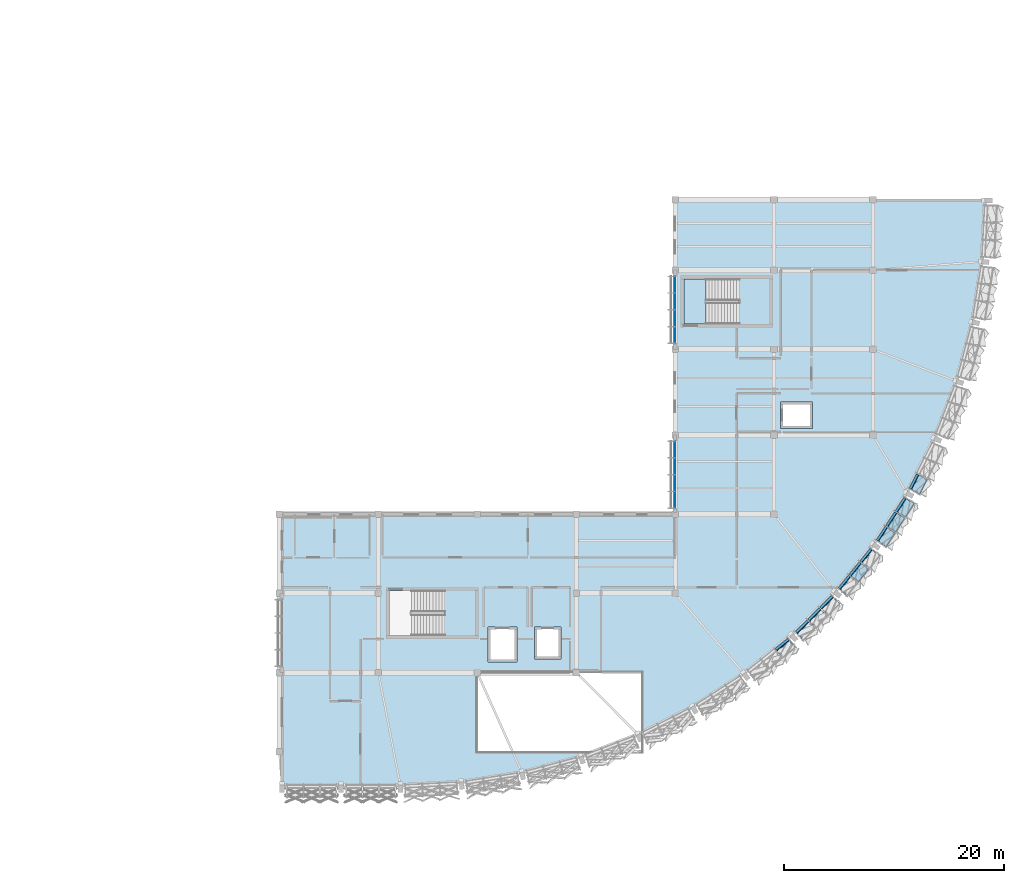
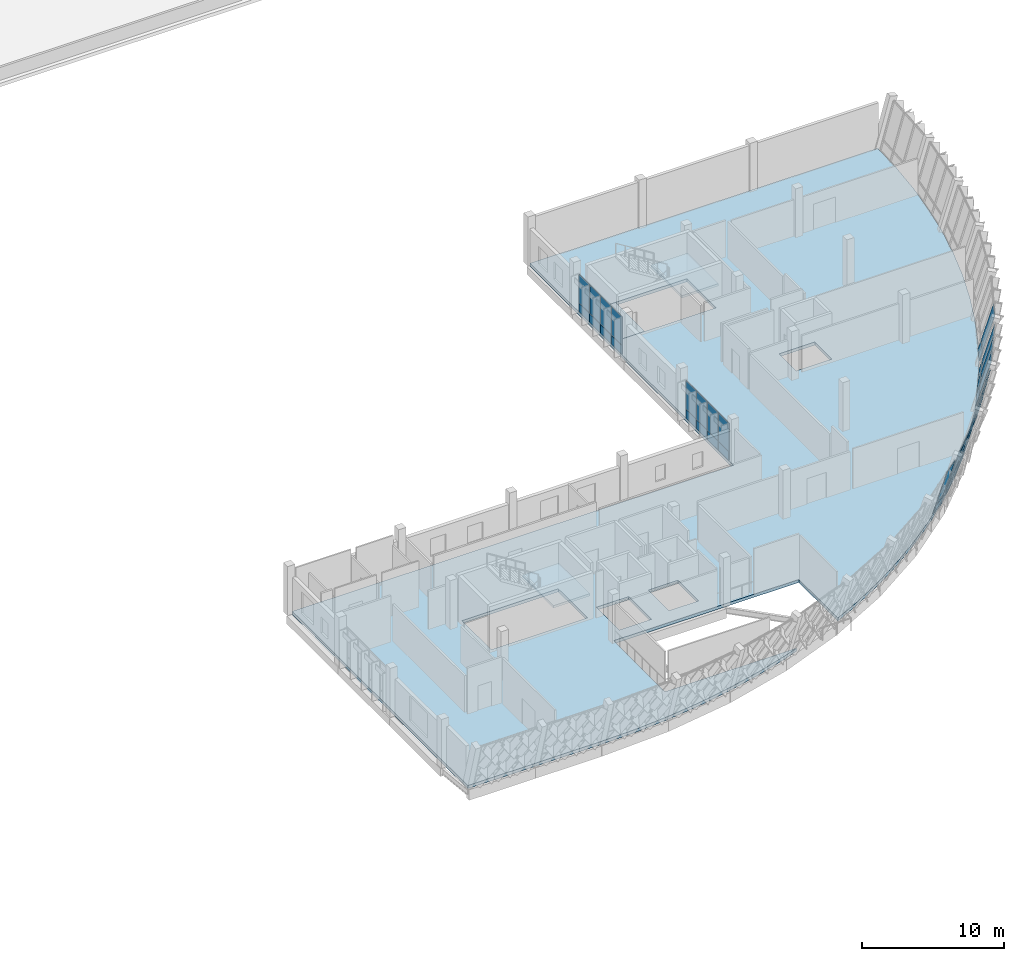
# One storey, part 83 of 107: 38 plates, 4 slabs, 9 elements without a shape of their own.
"""IFC4 building model written with IfcOpenShell, lengths in metres."""

from ifc_helpers import new_model, si_unit, direction, frame, origin, origin_2d, place, context, subcontext, project, spatial, polyline, rectangle, outline, extrude, material, layer, layer_set, type_object, element, aggregate, save


model = new_model("IFC4")

# Units and contexts
model_context = context("Model", 3, precision=1e-05, world=origin(), true_north=direction((0.0, 1.0)))
body_context = subcontext(model_context, "Body", "Model", "MODEL_VIEW")
ifc_project = project(units=[si_unit("LENGTHUNIT", "METRE"), si_unit("AREAUNIT", "SQUARE_METRE"), si_unit("VOLUMEUNIT", "CUBIC_METRE"), si_unit("PLANEANGLEUNIT", "RADIAN"), si_unit("MASSUNIT", "GRAM", prefix="KILO")], contexts=[model_context])

# Site, building, storey
site_placement = place(None, origin())
site = spatial("IfcSite", under=ifc_project, at=site_placement, CompositionType="ELEMENT")
building_placement = place(site_placement, origin())
building = spatial("IfcBuilding", under=site, at=building_placement, Name="Chiffa Square Polytechnic", CompositionType="ELEMENT")
storey_placement = place(building_placement, frame((0.0, 0.0, 13.800048828125)))
storey = spatial("IfcBuildingStorey", under=building, at=storey_placement, Name="L03", CompositionType="ELEMENT", Elevation=13.800048828125)

# Curtain wall, plates
ifc_material_1 = material(Name="Aluminium EN AW-6060 T66 and glulam shading", Category="wood")
curtain_wall_type_1 = type_object("IfcCurtainWallType", Name="CW-PROW-LEAN-150", PredefinedType="USERDEFINED", material=ifc_material_1)
curtain_wall_1_placement = place(storey_placement, origin())
curtain_wall_1 = element("IfcCurtainWall", 1, at=curtain_wall_1_placement, inside=storey, type_object=curtain_wall_type_1, Name="Outward-leaning diamond-fin prow curtain wall CW-V1-L03-054", ObjectType="CURTAIN WALL", PredefinedType="USERDEFINED")
ifc_material_2 = material(Name="Double glazing", Category="glass")
ifc_layer_1 = layer(ifc_material_2, 0.035888671875, Name="Double glazing")
ifc_layer_set_1 = layer_set([ifc_layer_1], Name="Double glazing")
plate_type_1 = type_object("IfcPlateType", Name="CWP-GLZ-120X145", PredefinedType="CURTAIN_PANEL", material=ifc_layer_set_1)
plate_1_placement = place(storey_placement, frame((163.21826171875, 21.971923828125, 0.8779296875), z_axis=(-0.747978076099, 0.605487140013, 0.271871515526), x_axis=(0.629179782884, 0.777259802071, -2.9907805e-05)))
plate_1 = element("IfcPlate", 2, at=plate_1_placement, type_object=plate_type_1, Name="Leaning prow curtain panel CW-V1-L03-054-PN01", PredefinedType="CURTAIN_PANEL", context=body_context, shape_type="SweptSolid", body=[
    extrude(outline(polyline([(0.0, 0.0), (1.4642286421085646, -2.7755575615628914e-17), (1.4473826780926802, -3.156029045918574), (-0.04475831429244404, -3.1559371666258644), (0.0, 0.0)])), origin(), (0.0, 0.0, -1.0), 0.035888671875),
])
plate_2_placement = place(storey_placement, frame((164.210693359375, 23.1982421875, 0.8779296875), z_axis=(-0.747935810142, 0.605517260384, 0.271920707717), x_axis=(0.629223210755, 0.777224646283, -1.6058444e-05)))
plate_2 = element("IfcPlate", 3, at=plate_2_placement, type_object=plate_type_1, Name="Leaning prow curtain panel CW-V1-L03-054-PN02", PredefinedType="CURTAIN_PANEL", context=body_context, shape_type="SweptSolid", body=[
    extrude(outline(polyline([(0.0, 0.0), (1.4640388795171781, 0.0), (1.4778247797093926, -3.1560543051300356), (-0.014316220878165474, -3.1560049746935754), (0.0, 0.0)])), origin(), (0.0, 0.0, -1.0), 0.035888671875),
])
plate_3_placement = place(storey_placement, frame((165.203369140625, 24.424560546875, 0.8779296875), z_axis=(-0.747948899051, 0.605463521235, 0.27200435449), x_axis=(0.629179776465, 0.777259807267, -2.9921251e-05)))
plate_3 = element("IfcPlate", 4, at=plate_3_placement, type_object=plate_type_1, Name="Leaning prow curtain panel CW-V1-L03-054-PN03", PredefinedType="CURTAIN_PANEL", context=body_context, shape_type="SweptSolid", body=[
    extrude(outline(polyline([(0.0, 0.0), (1.4642286421092559, 5.551115123125783e-17), (1.5077434329257278, -3.1561540578211926), (0.01560244054269043, -3.156062133635402), (0.0, 0.0)])), origin(), (0.0, 0.0, -1.0), 0.035888671875),
])

curtain_wall_type_2 = type_object("IfcCurtainWallType", Name="CW-VERT-480X380", PredefinedType="USERDEFINED", material=ifc_material_1)
curtain_wall_2_placement = place(storey_placement, origin())
curtain_wall_2 = element("IfcCurtainWall", 5, at=curtain_wall_2_placement, inside=storey, type_object=curtain_wall_type_2, Name="Curtain wall CW-V1-L03-134", ObjectType="CURTAIN WALL", PredefinedType="USERDEFINED")
ifc_layer_2 = layer(ifc_material_2, 0.0458984375, Name="Double glazing")
ifc_layer_set_2 = layer_set([ifc_layer_2], Name="Double glazing")
plate_type_2 = type_object("IfcPlateType", Name="CWP-GLZ-130X110", PredefinedType="CURTAIN_PANEL", material=ifc_layer_set_2)
plate_4_placement = place(storey_placement, frame((148.199951171875, 34.68408203125, 0.84033203125), z_axis=(0.0, 0.0, 1.0), x_axis=(0.0, -1.0, 0.0)))
plate_4 = element("IfcPlate", 6, at=plate_4_placement, type_object=plate_type_2, Name="Glazed curtain panel CW-V1-L03-134-PN01", PredefinedType="CURTAIN_PANEL", context=body_context, shape_type="SweptSolid", body=[
    extrude(rectangle(XDim=1.4560546875, YDim=0.0458984375, at=origin_2d()), origin(), (0.0, 0.0, 1.0), 2.405029296875),
])
plate_5_placement = place(storey_placement, frame((148.199951171875, 33.1650390625, 0.84033203125), z_axis=(0.0, 0.0, 1.0), x_axis=(0.0, -1.0, 0.0)))
plate_5 = element("IfcPlate", 7, at=plate_5_placement, type_object=plate_type_2, Name="Glazed curtain panel CW-V1-L03-134-PN02", PredefinedType="CURTAIN_PANEL", context=body_context, shape_type="SweptSolid", body=[
    extrude(rectangle(XDim=1.47802734375, YDim=0.0458984375, at=origin_2d()), origin(), (0.0, 0.0, 1.0), 2.405029296875),
])
plate_6_placement = place(storey_placement, frame((148.199951171875, 31.635009765625, 0.84033203125), z_axis=(0.0, 0.0, 1.0), x_axis=(0.0, -1.0, 0.0)))
plate_6 = element("IfcPlate", 8, at=plate_6_placement, type_object=plate_type_2, Name="Glazed curtain panel CW-V1-L03-134-PN03", PredefinedType="CURTAIN_PANEL", context=body_context, shape_type="SweptSolid", body=[
    extrude(rectangle(XDim=1.47802734375, YDim=0.0458984375, at=origin_2d()), origin(), (0.0, 0.0, 1.0), 2.405029296875),
])
plate_7_placement = place(storey_placement, frame((148.199951171875, 30.115966796875, 0.84033203125), z_axis=(0.0, 0.0, 1.0), x_axis=(0.0, -1.0, 0.0)))
plate_7 = element("IfcPlate", 9, at=plate_7_placement, type_object=plate_type_2, Name="Glazed curtain panel CW-V1-L03-134-PN04", PredefinedType="CURTAIN_PANEL", context=body_context, shape_type="SweptSolid", body=[
    extrude(rectangle(XDim=1.4560546875, YDim=0.0458984375, at=origin_2d()), origin(), (0.0, 0.0, 1.0), 2.405029296875),
])

curtain_wall_type_3 = type_object("IfcCurtainWallType", Name="CW-VERT-360X380", PredefinedType="USERDEFINED", material=ifc_material_1)
curtain_wall_3_placement = place(storey_placement, origin())
curtain_wall_3 = element("IfcCurtainWall", 10, at=curtain_wall_3_placement, inside=storey, type_object=curtain_wall_type_3, Name="Curtain wall CW-V1-L03-133", ObjectType="CURTAIN WALL", PredefinedType="USERDEFINED")
ifc_layer_3 = layer(ifc_material_2, 0.0439453125, Name="Double glazing")
ifc_layer_set_3 = layer_set([ifc_layer_3], Name="Double glazing")
plate_type_3 = type_object("IfcPlateType", Name="CWP-GLZ-132X114", PredefinedType="CURTAIN_PANEL", material=ifc_layer_set_3)
plate_8_placement = place(storey_placement, frame((148.199951171875, 49.68408203125, 0.84033203125), z_axis=(0.0, 0.0, 1.0), x_axis=(0.0, -1.0, 0.0)))
plate_8 = element("IfcPlate", 11, at=plate_8_placement, type_object=plate_type_3, Name="Glazed curtain panel CW-V1-L03-133-PN01", PredefinedType="CURTAIN_PANEL", context=body_context, shape_type="SweptSolid", body=[
    extrude(rectangle(XDim=1.4560546875, YDim=0.0439453125, at=origin_2d()), origin(), (0.0, 0.0, 1.0), 2.405029296875),
])
plate_9_placement = place(storey_placement, frame((148.199951171875, 48.1650390625, 0.84033203125), z_axis=(0.0, 0.0, 1.0), x_axis=(0.0, -1.0, 0.0)))
plate_9 = element("IfcPlate", 12, at=plate_9_placement, type_object=plate_type_3, Name="Glazed curtain panel CW-V1-L03-133-PN02", PredefinedType="CURTAIN_PANEL", context=body_context, shape_type="SweptSolid", body=[
    extrude(rectangle(XDim=1.47802734375, YDim=0.0439453125, at=origin_2d()), origin(), (0.0, 0.0, 1.0), 2.405029296875),
])
plate_10_placement = place(storey_placement, frame((148.199951171875, 46.635009765625, 0.84033203125), z_axis=(0.0, 0.0, 1.0), x_axis=(0.0, -1.0, 0.0)))
plate_10 = element("IfcPlate", 13, at=plate_10_placement, type_object=plate_type_3, Name="Glazed curtain panel CW-V1-L03-133-PN03", PredefinedType="CURTAIN_PANEL", context=body_context, shape_type="SweptSolid", body=[
    extrude(rectangle(XDim=1.47802734375, YDim=0.0439453125, at=origin_2d()), origin(), (0.0, 0.0, 1.0), 2.405029296875),
])
plate_11_placement = place(storey_placement, frame((148.199951171875, 45.115966796875, 0.84033203125), z_axis=(0.0, 0.0, 1.0), x_axis=(0.0, -1.0, 0.0)))
plate_11 = element("IfcPlate", 14, at=plate_11_placement, type_object=plate_type_3, Name="Glazed curtain panel CW-V1-L03-133-PN04", PredefinedType="CURTAIN_PANEL", context=body_context, shape_type="SweptSolid", body=[
    extrude(rectangle(XDim=1.4560546875, YDim=0.0439453125, at=origin_2d()), origin(), (0.0, 0.0, 1.0), 2.405029296875),
])

# Curtain wall, plate
curtain_wall_4_placement = place(storey_placement, origin())
curtain_wall_4 = element("IfcCurtainWall", 15, at=curtain_wall_4_placement, inside=storey, type_object=curtain_wall_type_1, Name="Outward-leaning diamond-fin prow curtain wall CW-V1-L03-056", ObjectType="CURTAIN WALL", PredefinedType="USERDEFINED")
ifc_layer_4 = layer(ifc_material_2, 0.0380859375, Name="Double glazing")
ifc_layer_set_4 = layer_set([ifc_layer_4], Name="Double glazing")
plate_type_4 = type_object("IfcPlateType", Name="CWP-GLZ-148X142", PredefinedType="CURTAIN_PANEL", material=ifc_layer_set_4)
plate_12_placement = place(storey_placement, frame((169.698974609375, 31.065185546875, 0.8779296875), z_axis=(-0.857476907844, 0.436803870115, 0.271911256787), x_axis=(0.453903390143, 0.891050903322, -1.0325433e-05)))
plate_12 = element("IfcPlate", 16, at=plate_12_placement, type_object=plate_type_4, Name="Leaning prow curtain panel CW-V1-L03-056-PN01", PredefinedType="CURTAIN_PANEL", context=body_context, shape_type="SweptSolid", body=[
    extrude(outline(polyline([(0.0, 0.0), (1.4641848279588354, 2.7755575615628914e-17), (1.4478739448636142, -3.1560364212371455), (-0.04459094235295918, -3.1560046972638958), (0.0, 0.0)])), origin(), (0.0, 0.0, -1.0), 0.0380859375),
])

# Curtain wall, plates
curtain_wall_type_4 = type_object("IfcCurtainWallType", Name="CW-PROW-LEAN-300", PredefinedType="USERDEFINED", material=ifc_material_1)
curtain_wall_5_placement = place(storey_placement, origin())
curtain_wall_5 = element("IfcCurtainWall", 17, at=curtain_wall_5_placement, inside=storey, type_object=curtain_wall_type_4, Name="Outward-leaning diamond-fin prow curtain wall CW-V1-L03-053", ObjectType="CURTAIN WALL", PredefinedType="USERDEFINED")
ifc_layer_5 = layer(ifc_material_2, 0.035888671875, Name="Double glazing")
ifc_layer_set_5 = layer_set([ifc_layer_5], Name="Double glazing")
plate_type_5 = type_object("IfcPlateType", Name="CWP-GLZ-150X125", PredefinedType="CURTAIN_PANEL", material=ifc_layer_set_5)
plate_13_placement = place(storey_placement, frame((159.300537109375, 17.982666015625, 0.8779296875), z_axis=(-0.680519466941, 0.68043997629, 0.271835784586), x_axis=(0.707062370045, 0.707151189368, -1.5565905e-05)))
plate_13 = element("IfcPlate", 18, at=plate_13_placement, type_object=plate_type_5, Name="Leaning prow curtain panel CW-V1-L03-053-PN01", PredefinedType="CURTAIN_PANEL", context=body_context, shape_type="SweptSolid", body=[
    extrude(outline(polyline([(0.0, 0.0), (1.4641046491940695, -2.7755575615628914e-17), (1.4481212069080167, -3.1559743836380734), (-0.043432156534988796, -3.1559265758822077), (0.0, 0.0)])), origin(), (0.0, 0.0, -1.0), 0.035888671875),
])
plate_14_placement = place(storey_placement, frame((160.416259765625, 19.098388671875, 0.8779296875), z_axis=(-0.680484680399, 0.680484680399, 0.271810962774), x_axis=(0.707106781187, 0.707106781187, 0.0)))
plate_14 = element("IfcPlate", 19, at=plate_14_placement, type_object=plate_type_5, Name="Leaning prow curtain panel CW-V1-L03-053-PN02", PredefinedType="CURTAIN_PANEL", context=body_context, shape_type="SweptSolid", body=[
    extrude(outline(polyline([(0.0, 0.0), (1.4642772749082755, 0.0), (1.4779153207368245, -3.1559279674125804), (-0.013638045828549106, -3.1559279674125804), (0.0, 0.0)])), origin(), (0.0, 0.0, -1.0), 0.035888671875),
])
plate_15_placement = place(storey_placement, frame((161.531982421875, 20.214111328125, 0.8779296875), z_axis=(-0.680484680399, 0.680484680399, 0.271810962774), x_axis=(0.707106781187, 0.707106781187, 0.0)))
plate_15 = element("IfcPlate", 20, at=plate_15_placement, type_object=plate_type_5, Name="Leaning prow curtain panel CW-V1-L03-053-PN03", PredefinedType="CURTAIN_PANEL", context=body_context, shape_type="SweptSolid", body=[
    extrude(outline(polyline([(0.0, 0.0), (1.4642772749082755, 0.0), (1.5076082812749316, -3.1559279674125804), (0.016054914709557833, -3.1559279674125804), (0.0, 0.0)])), origin(), (0.0, 0.0, -1.0), 0.035888671875),
])

# Curtain wall, plate
curtain_wall_6_placement = place(storey_placement, origin())
curtain_wall_6 = element("IfcCurtainWall", 21, at=curtain_wall_6_placement, inside=storey, type_object=curtain_wall_type_1, Name="Outward-leaning diamond-fin prow curtain wall CW-V1-L03-052", ObjectType="CURTAIN WALL", PredefinedType="USERDEFINED")
ifc_layer_6 = layer(ifc_material_2, 0.035888671875, Name="Double glazing")
ifc_layer_set_6 = layer_set([ifc_layer_6], Name="Double glazing")
plate_type_6 = type_object("IfcPlateType", Name="CWP-GLZ-150X145", PredefinedType="CURTAIN_PANEL", material=ifc_layer_set_6)
plate_16_placement = place(storey_placement, frame((157.43994140625, 16.41064453125, 0.8779296875), z_axis=(-0.605487140013, 0.747978076099, 0.271871515526), x_axis=(0.777259802071, 0.629179782884, 2.9907805e-05)))
plate_16 = element("IfcPlate", 22, at=plate_16_placement, type_object=plate_type_6, Name="Leaning prow curtain panel CW-V1-L03-052-PN03", PredefinedType="CURTAIN_PANEL", context=body_context, shape_type="SweptSolid", body=[
    extrude(outline(polyline([(0.0, 0.0), (1.4642286421085646, 2.7755575615628914e-17), (1.5089869564010088, -3.1559371666258644), (0.01684596401588457, -3.156029045918574), (0.0, 0.0)])), origin(), (0.0, 0.0, -1.0), 0.035888671875),
])

# Curtain wall, plates
curtain_wall_7_placement = place(storey_placement, origin())
curtain_wall_7 = element("IfcCurtainWall", 23, at=curtain_wall_7_placement, inside=storey, type_object=curtain_wall_type_4, Name="Outward-leaning diamond-fin prow curtain wall CW-V1-L03-055", ObjectType="CURTAIN WALL", PredefinedType="USERDEFINED")
ifc_layer_7 = layer(ifc_material_2, 0.035888671875, Name="Double glazing")
ifc_layer_set_7 = layer_set([ifc_layer_7], Name="Double glazing")
plate_type_7 = type_object("IfcPlateType", Name="CWP-GLZ-180X140", PredefinedType="CURTAIN_PANEL", material=ifc_layer_set_7)
plate_17_placement = place(storey_placement, frame((166.696044921875, 26.349609375, 0.8779296875), z_axis=(-0.806896690725, 0.524339782182, 0.272002800205), x_axis=(0.544889829823, 0.838507646188, 2.5308319e-05)))
plate_17 = element("IfcPlate", 24, at=plate_17_placement, type_object=plate_type_7, Name="Leaning prow curtain panel CW-V1-L03-055-PN01", PredefinedType="CURTAIN_PANEL", context=body_context, shape_type="SweptSolid", body=[
    extrude(outline(polyline([(0.0, 0.0), (1.4640420920147612, 2.7755575615628914e-17), (1.4480107075659139, -3.1560676527269753), (-0.043798721766524565, -3.1561453913829984), (0.0, 0.0)])), origin(), (0.0, 0.0, -1.0), 0.035888671875),
])
plate_18_placement = place(storey_placement, frame((167.5556640625, 27.67236328125, 0.8779296875), z_axis=(-0.806895718933, 0.524339150689, 0.272006900321), x_axis=(0.544884192995, 0.838511309537, 1.524796e-06)))
plate_18 = element("IfcPlate", 25, at=plate_18_placement, type_object=plate_type_7, Name="Leaning prow curtain panel CW-V1-L03-055-PN02", PredefinedType="CURTAIN_PANEL", context=body_context, shape_type="SweptSolid", body=[
    extrude(outline(polyline([(0.0, 0.0), (1.4642468062427874, -2.7755575615628914e-17), (1.477931215879696, -3.156107193444452), (-0.013673500243265926, -3.156111877112503), (0.0, 0.0)])), origin(), (0.0, 0.0, -1.0), 0.035888671875),
])
plate_19_placement = place(storey_placement, frame((168.415283203125, 28.995361328125, 0.8779296875), z_axis=(-0.8069241422, 0.52432978445, 0.271940629316), x_axis=(0.54487099275, 0.838519886621, 3.1650384e-05)))
plate_19 = element("IfcPlate", 26, at=plate_19_placement, type_object=plate_type_7, Name="Leaning prow curtain panel CW-V1-L03-055-PN03", PredefinedType="CURTAIN_PANEL", context=body_context, shape_type="SweptSolid", body=[
    extrude(outline(polyline([(0.0, 0.0), (1.4640420884361216, -2.7755575615628914e-17), (1.5075369402273096, -3.155998525325781), (0.016065250034855278, -3.156095731792182), (0.0, 0.0)])), origin(), (0.0, 0.0, -1.0), 0.035888671875),
])

# Plate
ifc_material_3 = material(Name="Aluminium insulated spandrel", Category="aluminium")
ifc_layer_8 = layer(ifc_material_3, 0.072021484375, Name="Aluminium insulated spandrel")
ifc_layer_set_8 = layer_set([ifc_layer_8], Name="Aluminium insulated spandrel")
plate_type_8 = type_object("IfcPlateType", Name="CWP-SPN-136X072", PredefinedType="SHEET", material=ifc_layer_set_8)
plate_20_placement = place(storey_placement, frame((159.143310546875, 18.156494140625, 0.050048828125), z_axis=(-0.680425277949, 0.680505715977, 0.27190699081), x_axis=(0.707151678286, 0.707061881065, 1.5540739e-05)))
plate_20 = element("IfcPlate", 27, at=plate_20_placement, type_object=plate_type_8, Name="Leaning prow curtain panel CW-V1-L03-053-SP01", PredefinedType="SHEET", context=body_context, shape_type="SweptSolid", body=[
    extrude(outline(polyline([(0.0, 0.0), (1.4568540426225474, -5.551115123125783e-17), (1.4529093138206497, -0.8021731237136698), (-0.011022690976725279, -0.8022202920209194), (0.0, 0.0)])), origin(), (0.0, 0.0, -1.0), 0.072021484375),
])

plate_21_placement = place(storey_placement, frame((160.25341796875, 19.2666015625, 0.050048828125), z_axis=(-0.680445688802, 0.680445688802, 0.272006119749), x_axis=(0.707106781187, 0.707106781187, 0.0)))
plate_21 = element("IfcPlate", 28, at=plate_21_placement, type_object=plate_type_8, Name="Leaning prow curtain panel CW-V1-L03-053-SP02", PredefinedType="SHEET", context=body_context, shape_type="SweptSolid", body=[
    extrude(outline(polyline([(0.0, 0.0), (1.4566814012822482, 0.0), (1.4601340711122606, -0.8022199407065447), (-0.003452669830012439, -0.8022199407065446), (0.0, 0.0)])), origin(), (0.0, 0.0, -1.0), 0.072021484375),
])

plate_22_placement = place(storey_placement, frame((161.363525390625, 20.37646484375, 0.050048828125), z_axis=(-0.68048550594, 0.68048550594, 0.271806829223), x_axis=(0.707106781187, 0.707106781187, 0.0)))
plate_22 = element("IfcPlate", 29, at=plate_22_placement, type_object=plate_type_8, Name="Leaning prow curtain panel CW-V1-L03-053-SP03", PredefinedType="SHEET", context=body_context, shape_type="SweptSolid", body=[
    extrude(outline(polyline([(0.0, 0.0), (1.4566814012822482, 0.0), (1.4679025782297885, -0.8021730005419891), (0.003970570304514309, -0.8021730005419891), (0.0, 0.0)])), origin(), (0.0, 0.0, -1.0), 0.072021484375),
])

aggregate(curtain_wall_5, [plate_20, plate_13, plate_21, plate_14, plate_22, plate_15])

plate_23_placement = place(storey_placement, frame((148.199951171875, 49.68408203125, 0.050048828125), z_axis=(0.0, 0.0, 1.0), x_axis=(0.0, -1.0, 0.0)))
plate_23 = element("IfcPlate", 30, at=plate_23_placement, type_object=plate_type_8, Name="Spandrel panel CW-V1-L03-133-SP01", PredefinedType="SHEET", context=body_context, shape_type="SweptSolid", body=[
    extrude(rectangle(XDim=1.4560546875, YDim=0.072021484375, at=origin_2d()), origin(), (0.0, 0.0, 1.0), 0.75),
])

plate_24_placement = place(storey_placement, frame((148.199951171875, 48.1650390625, 0.050048828125), z_axis=(0.0, 0.0, 1.0), x_axis=(0.0, -1.0, 0.0)))
plate_24 = element("IfcPlate", 31, at=plate_24_placement, type_object=plate_type_8, Name="Spandrel panel CW-V1-L03-133-SP02", PredefinedType="SHEET", context=body_context, shape_type="SweptSolid", body=[
    extrude(rectangle(XDim=1.47802734375, YDim=0.072021484375, at=origin_2d()), origin(), (0.0, 0.0, 1.0), 0.75),
])

plate_25_placement = place(storey_placement, frame((148.199951171875, 46.635009765625, 0.050048828125), z_axis=(0.0, 0.0, 1.0), x_axis=(0.0, -1.0, 0.0)))
plate_25 = element("IfcPlate", 32, at=plate_25_placement, type_object=plate_type_8, Name="Spandrel panel CW-V1-L03-133-SP03", PredefinedType="SHEET", context=body_context, shape_type="SweptSolid", body=[
    extrude(rectangle(XDim=1.47802734375, YDim=0.072021484375, at=origin_2d()), origin(), (0.0, 0.0, 1.0), 0.75),
])

plate_26_placement = place(storey_placement, frame((148.199951171875, 45.115966796875, 0.050048828125), z_axis=(0.0, 0.0, 1.0), x_axis=(0.0, -1.0, 0.0)))
plate_26 = element("IfcPlate", 33, at=plate_26_placement, type_object=plate_type_8, Name="Spandrel panel CW-V1-L03-133-SP04", PredefinedType="SHEET", context=body_context, shape_type="SweptSolid", body=[
    extrude(rectangle(XDim=1.4560546875, YDim=0.072021484375, at=origin_2d()), origin(), (0.0, 0.0, 1.0), 0.75),
])

aggregate(curtain_wall_3, [plate_23, plate_8, plate_24, plate_9, plate_25, plate_10, plate_26, plate_11])

ifc_layer_9 = layer(ifc_material_3, 0.070068359375, Name="Aluminium insulated spandrel")
ifc_layer_set_9 = layer_set([ifc_layer_9], Name="Aluminium insulated spandrel")
plate_type_9 = type_object("IfcPlateType", Name="CWP-SPN-138X074", PredefinedType="SHEET", material=ifc_layer_set_9)
plate_27_placement = place(storey_placement, frame((157.289306640625, 16.589599609375, 0.050048828125), z_axis=(-0.605468089419, 0.747964300231, 0.271951830801), x_axis=(0.777256048986, 0.629184419804, -1.3786656e-05)))
plate_27 = element("IfcPlate", 34, at=plate_27_placement, type_object=plate_type_9, Name="Leaning prow curtain panel CW-V1-L03-052-SP03", PredefinedType="SHEET", context=body_context, shape_type="SweptSolid", body=[
    extrude(outline(polyline([(0.0, 0.0), (1.4565660671615734, -5.551115123125783e-17), (1.4677278592266523, -0.8022281771113169), (0.004375715840868339, -0.802186344571949), (0.0, 0.0)])), origin(), (0.0, 0.0, -1.0), 0.070068359375),
])

aggregate(curtain_wall_6, [plate_27, plate_16])

ifc_layer_10 = layer(ifc_material_3, 0.06201171875, Name="Aluminium insulated spandrel")
ifc_layer_set_10 = layer_set([ifc_layer_10], Name="Aluminium insulated spandrel")
plate_type_10 = type_object("IfcPlateType", Name="CWP-SPN-148X084", PredefinedType="SHEET", material=ifc_layer_set_10)
plate_28_placement = place(storey_placement, frame((169.495849609375, 31.182373046875, 0.050048828125), z_axis=(-0.857393658109, 0.43694331962, 0.271949720489), x_axis=(0.454059765687, 0.89097122791, 1.484647e-05)))
plate_28 = element("IfcPlate", 35, at=plate_28_placement, type_object=plate_type_10, Name="Leaning prow curtain panel CW-V1-L03-056-SP01", PredefinedType="SHEET", context=body_context, shape_type="SweptSolid", body=[
    extrude(outline(polyline([(0.0, 0.0), (1.456435542380106, -2.7755575615628914e-17), (1.4522234215180783, -0.8021842476037596), (-0.011526329872649612, -0.8022293000063055), (0.0, 0.0)])), origin(), (0.0, 0.0, -1.0), 0.06201171875),
])

aggregate(curtain_wall_4, [plate_28, plate_12])

ifc_layer_11 = layer(ifc_material_3, 0.06005859375, Name="Aluminium insulated spandrel")
ifc_layer_set_11 = layer_set([ifc_layer_11], Name="Aluminium insulated spandrel")
plate_type_11 = type_object("IfcPlateType", Name="CWP-SPN-150X080", PredefinedType="SHEET", material=ifc_layer_set_11)
plate_29_placement = place(storey_placement, frame((166.506103515625, 26.487060546875, 0.050048828125), z_axis=(-0.806818632839, 0.524363730067, 0.272188119311), x_axis=(0.544933800516, 0.838479071104, -1.9359358e-05)))
plate_29 = element("IfcPlate", 36, at=plate_29_placement, type_object=plate_type_11, Name="Leaning prow curtain panel CW-V1-L03-055-SP01", PredefinedType="SHEET", context=body_context, shape_type="SweptSolid", body=[
    extrude(outline(polyline([(0.0, 0.0), (1.4566627388217146, -8.326672684688674e-17), (1.4524679727565846, -0.8022920678040093), (-0.0110316702261803, -0.8022333171478125), (0.0, 0.0)])), origin(), (0.0, 0.0, -1.0), 0.06005859375),
])

plate_30_placement = place(storey_placement, frame((167.361572265625, 27.802978515625, 0.050048828125), z_axis=(-0.806905309864, 0.524420062787, 0.271822402794), x_axis=(0.544933812847, 0.838479063091, -1.9335424e-05)))
plate_30 = element("IfcPlate", 37, at=plate_30_placement, type_object=plate_type_11, Name="Leaning prow curtain panel CW-V1-L03-055-SP02", PredefinedType="SHEET", context=body_context, shape_type="SweptSolid", body=[
    extrude(outline(polyline([(0.0, 0.0), (1.4566627388209228, -8.326672684688674e-17), (1.460123725819725, -0.8022060040237223), (-0.003375917165418412, -0.8021473323058915), (0.0, 0.0)])), origin(), (0.0, 0.0, -1.0), 0.06005859375),
])

plate_31_placement = place(storey_placement, frame((168.216796875, 29.119140625, 0.050048828125), z_axis=(-0.806905192474, 0.524367701351, 0.271923746919), x_axis=(0.544898435359, 0.838502054314, -7.420963e-06)))
plate_31 = element("IfcPlate", 38, at=plate_31_placement, type_object=plate_type_11, Name="Leaning prow curtain panel CW-V1-L03-055-SP03", PredefinedType="SHEET", context=body_context, shape_type="SweptSolid", body=[
    extrude(outline(polyline([(0.0, 0.0), (1.4566627419637195, -2.7755575615628914e-17), (1.4677077862743295, -0.8022118520555311), (0.0040034368229948415, -0.8021893315188431), (0.0, 0.0)])), origin(), (0.0, 0.0, -1.0), 0.06005859375),
])

aggregate(curtain_wall_7, [plate_29, plate_17, plate_30, plate_18, plate_31, plate_19])

ifc_layer_12 = layer(ifc_material_3, 0.06005859375, Name="Aluminium insulated spandrel")
ifc_layer_set_12 = layer_set([ifc_layer_12], Name="Aluminium insulated spandrel")
plate_type_12 = type_object("IfcPlateType", Name="CWP-SPN-150X095", PredefinedType="SHEET", material=ifc_layer_set_12)
plate_32_placement = place(storey_placement, frame((163.0439453125, 22.12841796875, 0.050048828125), z_axis=(-0.748028199643, 0.605389567898, 0.271950884572), x_axis=(0.629095144098, 0.777328308539, -2.0374184e-05)))
plate_32 = element("IfcPlate", 39, at=plate_32_placement, type_object=plate_type_12, Name="Leaning prow curtain panel CW-V1-L03-054-SP01", PredefinedType="SHEET", context=body_context, shape_type="SweptSolid", body=[
    extrude(outline(polyline([(0.0, 0.0), (1.4566022389665472, 0.0), (1.4523286915240006, -0.8022376756250932), (-0.011366816613868631, -0.802175846679008), (0.0, 0.0)])), origin(), (0.0, 0.0, -1.0), 0.06005859375),
])

plate_33_placement = place(storey_placement, frame((164.031494140625, 23.348388671875, 0.050048828125), z_axis=(-0.748102803551, 0.605369487408, 0.271790321818), x_axis=(0.629040879166, 0.777372221613, -3.7448246e-05)))
plate_33 = element("IfcPlate", 40, at=plate_33_placement, type_object=plate_type_12, Name="Leaning prow curtain panel CW-V1-L03-054-SP02", PredefinedType="SHEET", context=body_context, shape_type="SweptSolid", body=[
    extrude(outline(polyline([(0.0, 0.0), (1.4564486675958042, 2.7755575615628914e-17), (1.4599628945171395, -0.8022259266066724), (-0.003732600827397131, -0.8021122948309002), (0.0, 0.0)])), origin(), (0.0, 0.0, -1.0), 0.06005859375),
])

plate_34_placement = place(storey_placement, frame((165.018798828125, 24.568603515625, 0.050048828125), z_axis=(-0.748038878914, 0.605302407881, 0.272115473001), x_axis=(0.629038002522, 0.777374550226, -6.632759e-06)))
plate_34 = element("IfcPlate", 41, at=plate_34_placement, type_object=plate_type_12, Name="Leaning prow curtain panel CW-V1-L03-054-SP03", PredefinedType="SHEET", context=body_context, shape_type="SweptSolid", body=[
    extrude(outline(polyline([(0.0, 0.0), (1.456258880581224, 0.0), (1.4674224921715762, -0.8022558302577696), (0.003880570403067696, -0.8022357044691447), (0.0, 0.0)])), origin(), (0.0, 0.0, -1.0), 0.06005859375),
])

aggregate(curtain_wall_1, [plate_32, plate_1, plate_33, plate_2, plate_34, plate_3])

plate_35_placement = place(storey_placement, frame((148.199951171875, 34.68408203125, 0.050048828125), z_axis=(0.0, 0.0, 1.0), x_axis=(0.0, -1.0, 0.0)))
plate_35 = element("IfcPlate", 42, at=plate_35_placement, type_object=plate_type_12, Name="Spandrel panel CW-V1-L03-134-SP01", PredefinedType="SHEET", context=body_context, shape_type="SweptSolid", body=[
    extrude(rectangle(XDim=1.4560546875, YDim=0.06005859375, at=origin_2d()), origin(), (0.0, 0.0, 1.0), 0.75),
])

plate_36_placement = place(storey_placement, frame((148.199951171875, 33.1650390625, 0.050048828125), z_axis=(0.0, 0.0, 1.0), x_axis=(0.0, -1.0, 0.0)))
plate_36 = element("IfcPlate", 43, at=plate_36_placement, type_object=plate_type_12, Name="Spandrel panel CW-V1-L03-134-SP02", PredefinedType="SHEET", context=body_context, shape_type="SweptSolid", body=[
    extrude(rectangle(XDim=1.47802734375, YDim=0.06005859375, at=origin_2d()), origin(), (0.0, 0.0, 1.0), 0.75),
])

plate_37_placement = place(storey_placement, frame((148.199951171875, 31.635009765625, 0.050048828125), z_axis=(0.0, 0.0, 1.0), x_axis=(0.0, -1.0, 0.0)))
plate_37 = element("IfcPlate", 44, at=plate_37_placement, type_object=plate_type_12, Name="Spandrel panel CW-V1-L03-134-SP03", PredefinedType="SHEET", context=body_context, shape_type="SweptSolid", body=[
    extrude(rectangle(XDim=1.47802734375, YDim=0.06005859375, at=origin_2d()), origin(), (0.0, 0.0, 1.0), 0.75),
])

plate_38_placement = place(storey_placement, frame((148.199951171875, 30.115966796875, 0.050048828125), z_axis=(0.0, 0.0, 1.0), x_axis=(0.0, -1.0, 0.0)))
plate_38 = element("IfcPlate", 45, at=plate_38_placement, type_object=plate_type_12, Name="Spandrel panel CW-V1-L03-134-SP04", PredefinedType="SHEET", context=body_context, shape_type="SweptSolid", body=[
    extrude(rectangle(XDim=1.4560546875, YDim=0.06005859375, at=origin_2d()), origin(), (0.0, 0.0, 1.0), 0.75),
])

aggregate(curtain_wall_2, [plate_35, plate_4, plate_36, plate_5, plate_37, plate_6, plate_38, plate_7])

# Slabs
ifc_material_4 = material(Name="Concrete C35/45", Category="concrete")
ifc_layer_13 = layer(ifc_material_4, 0.260009765625, Name="Concrete C35/45")
ifc_layer_set_13 = layer_set([ifc_layer_13], Name="Concrete C35/45")
slab_type_1 = type_object("IfcSlabType", Name="SLB-FLR-260", PredefinedType="FLOOR", material=ifc_layer_set_13)
slab_1_placement = place(storey_placement, frame((0.0, 0.0, -0.260009765625)))
element("IfcSlab", 46, at=slab_1_placement, inside=storey, type_object=slab_type_1, Name="V1 L03 structural slab SLB-V1-L03-005", PredefinedType="FLOOR", context=body_context, shape_type="SweptSolid", body=[
    extrude(outline(polyline([(148.199951171875, 28.800048828125), (148.199951171875, 57.35009765625), (176.387939453125, 57.35009765625), (176.31591796875, 54.56591796875), (176.096923828125, 51.7900390625), (175.73388671875, 49.029052734375), (175.22607421875, 46.291015625), (174.575927734375, 43.583984375), (173.784912109375, 40.9140625), (172.85595703125, 38.2890625), (171.7900390625, 35.716064453125), (170.591064453125, 33.202880859375), (169.262939453125, 30.756103515625), (167.80810546875, 28.381103515625), (166.22998046875, 26.0869140625), (164.534912109375, 23.876953125), (162.72705078125, 21.760009765625), (160.81005859375, 19.739990234375), (158.7900390625, 17.822998046875), (156.673095703125, 16.014892578125), (154.462890625, 14.320068359375), (152.1689453125, 12.741943359375), (149.7939453125, 11.287109375), (147.346923828125, 9.958984375), (145.199951171875, 8.93505859375), (145.199951171875, 14.39990234375), (130.199951171875, 14.39990234375), (130.199951171875, 7.199951171875), (140.864990234375, 7.199951171875), (139.635986328125, 6.764892578125), (136.966064453125, 5.97412109375), (134.259033203125, 5.323974609375), (131.52099609375, 4.81591796875), (128.760009765625, 4.452880859375), (125.98388671875, 4.23388671875), (123.199951171875, 4.162109375), (120.512939453125, 4.162109375), (117.824951171875, 4.162109375), (115.137939453125, 4.162109375), (112.449951171875, 4.162109375), (112.449951171875, 28.800048828125), (148.199951171875, 28.800048828125)]), holes=[polyline([(122.199951171875, 21.85009765625), (130.0, 21.85009765625), (130.0, 17.75), (122.199951171875, 17.75), (122.199951171875, 21.85009765625)]), polyline([(149.0, 50.199951171875), (156.800048828125, 50.199951171875), (156.800048828125, 46.10009765625), (149.0, 46.10009765625), (149.0, 50.199951171875)]), polyline([(131.199951171875, 18.550048828125), (133.800048828125, 18.550048828125), (133.800048828125, 15.35009765625), (131.199951171875, 15.35009765625), (131.199951171875, 18.550048828125)]), polyline([(135.39990234375, 18.550048828125), (137.800048828125, 18.550048828125), (137.800048828125, 15.64990234375), (135.39990234375, 15.64990234375), (135.39990234375, 18.550048828125)]), polyline([(157.800048828125, 39.0), (160.699951171875, 39.0), (160.699951171875, 36.60009765625), (157.800048828125, 36.60009765625), (157.800048828125, 39.0)])]), origin(), (0.0, 0.0, 1.0), 0.260009765625),
])
ifc_material_5 = material(Name="Concrete C40/50", Category="concrete")
ifc_layer_14 = layer(ifc_material_5, 0.35009765625, Name="Concrete C40/50")
ifc_layer_set_14 = layer_set([ifc_layer_14], Name="Concrete C40/50")
slab_type_2 = type_object("IfcSlabType", Name="SLB-FLR-350", PredefinedType="FLOOR", material=ifc_layer_set_14)
slab_2_placement = place(storey_placement, frame((0.0, 0.0, -0.35009765625)))
element("IfcSlab", 47, at=slab_2_placement, inside=storey, type_object=slab_type_2, Name="Stair core floor landing slab SLB-CORE-CORE-V1B-L03", PredefinedType="FLOOR", context=body_context, shape_type="SweptSolid", body=[
    extrude(outline(polyline([(149.0, 46.10009765625), (151.011962890625, 46.10009765625), (151.011962890625, 50.199951171875), (149.0, 50.199951171875), (149.0, 46.10009765625)])), origin(), (0.0, 0.0, 1.0), 0.35009765625),
])

# Stair, slab
stair_type = type_object("IfcStairType", Name="STAIR-DOG-1950", PredefinedType="HALF_TURN_STAIR", material=ifc_material_4)
stair_1_placement = place(storey_placement, origin())
stair_1 = element("IfcStair", 48, at=stair_1_placement, inside=storey, type_object=stair_type, Name="L03 Enclosed exit stair ST-V1A", PredefinedType="HALF_TURN_STAIR")
ifc_layer_15 = layer(ifc_material_4, 0.199951171875, Name="Concrete C35/45")
ifc_layer_set_15 = layer_set([ifc_layer_15], Name="Concrete C35/45")
slab_type_3 = type_object("IfcSlabType", Name="SLB-LND-200", PredefinedType="LANDING", material=ifc_layer_set_15)
slab_3_placement = place(storey_placement, frame((0.0, 0.0, 1.89990234375)))
slab_3 = element("IfcSlab", 49, at=slab_3_placement, type_object=slab_type_3, Name="ST-V1A landing 1", PredefinedType="LANDING", context=body_context, shape_type="SweptSolid", body=[
    extrude(outline(polyline([(127.159912109375, 17.6298828125), (127.159912109375, 21.969970703125), (130.1201171875, 21.969970703125), (130.1201171875, 17.6298828125), (127.159912109375, 17.6298828125)])), origin(), (0.0, 0.0, 1.0), 0.199951171875),
])
aggregate(stair_1, [slab_3])

stair_2_placement = place(storey_placement, origin())
stair_2 = element("IfcStair", 50, at=stair_2_placement, inside=storey, type_object=stair_type, Name="L03 Enclosed exit stair ST-V1B", PredefinedType="HALF_TURN_STAIR")
slab_4_placement = place(storey_placement, frame((0.0, 0.0, 1.89990234375)))
slab_4 = element("IfcSlab", 51, at=slab_4_placement, type_object=slab_type_3, Name="ST-V1B landing 1", PredefinedType="LANDING", context=body_context, shape_type="SweptSolid", body=[
    extrude(outline(polyline([(153.9599609375, 45.97998046875), (153.9599609375, 50.320068359375), (156.919921875, 50.320068359375), (156.919921875, 45.97998046875), (153.9599609375, 45.97998046875)])), origin(), (0.0, 0.0, 1.0), 0.199951171875),
])
aggregate(stair_2, [slab_4])

save(model, "model.ifc")
